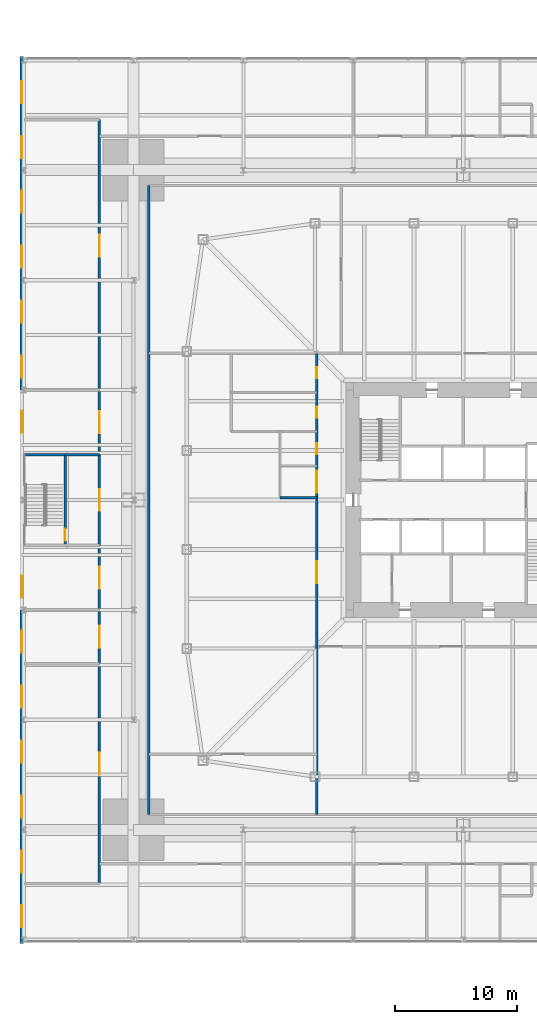
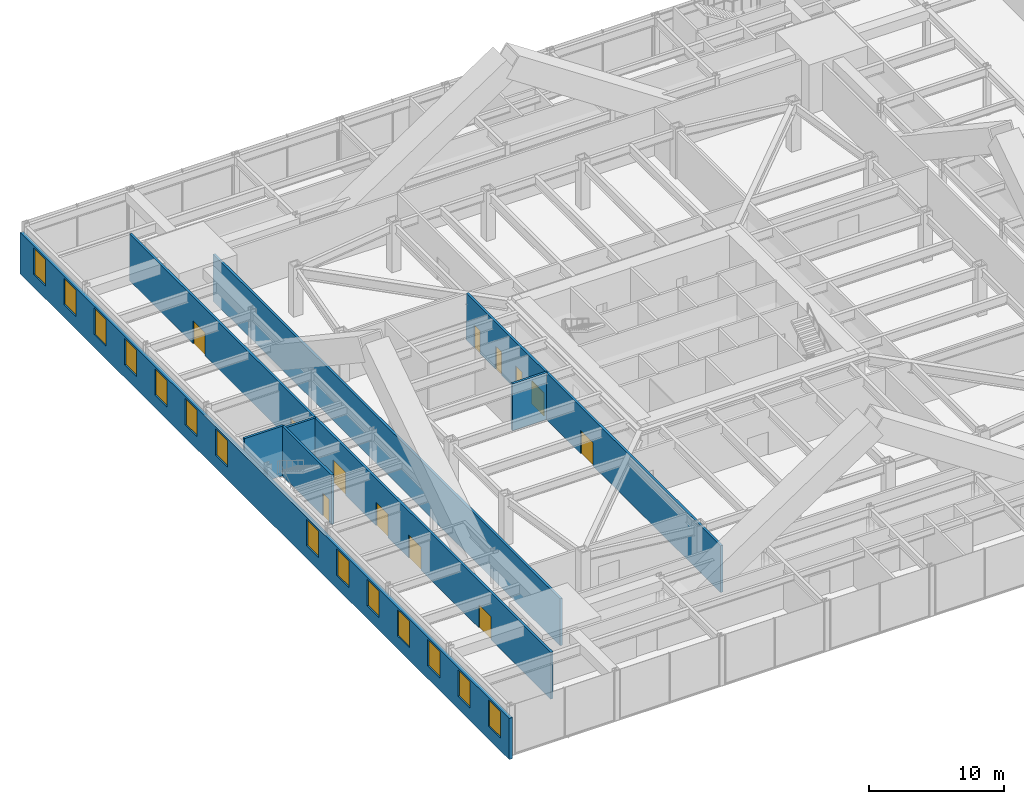
# One storey, part 21 of 32: 14 windows, 12 doors, 8 walls, 26 openings.
"""IFC4 building model written with IfcOpenShell, lengths in metres."""

from ifc_helpers import new_model, si_unit, direction, frame, frame_2d, origin, place, context, subcontext, project, spatial, rectangle, extrude, material, layer, layer_set, type_object, element, fill, save


model = new_model("IFC4")

# Units and contexts
model_context = context("Model", 3, precision=1e-05, world=origin(), true_north=direction((0.0, 1.0)))
body_context = subcontext(model_context, "Body", "Model", "MODEL_VIEW")
ifc_project = project(units=[si_unit("LENGTHUNIT", "METRE"), si_unit("AREAUNIT", "SQUARE_METRE"), si_unit("VOLUMEUNIT", "CUBIC_METRE"), si_unit("PLANEANGLEUNIT", "RADIAN"), si_unit("MASSUNIT", "GRAM", prefix="KILO")], contexts=[model_context])

# Site, building, storey
site_placement = place(None, origin())
site = spatial("IfcSite", under=ifc_project, at=site_placement, CompositionType="ELEMENT")
building_placement = place(site_placement, origin())
building = spatial("IfcBuilding", under=site, at=building_placement, Name="Iwan Alto Co-Living Towers", CompositionType="ELEMENT")
storey_placement = place(building_placement, frame((0.0, 0.0, 6.0)))
storey = spatial("IfcBuildingStorey", under=building, at=storey_placement, Name="L01", CompositionType="ELEMENT", Elevation=6.0)

# Wall, openings, windows
ifc_material_1 = material(Name="Fired clay brick facing", Category="masonry")
ifc_layer_1 = layer(ifc_material_1, 0.10009765625, Name="Brick facing", Category="Finish")
ifc_material_2 = material(Name="Concrete f'c 70 MPa", Category="concrete")
ifc_layer_2 = layer(ifc_material_2, 0.199951171875, Name="Reinforced concrete", Category="LoadBearing")
ifc_layer_set_1 = layer_set([ifc_layer_1, ifc_layer_2], Name="PODIUM BRICK WALL 300")
wall_type_1 = type_object("IfcWallType", Name="PODIUM BRICK WALL 300", PredefinedType="SOLIDWALL", material=ifc_layer_set_1)
wall_1_placement = place(storey_placement, frame((-36.14990234375, 36.300048828125, -0.25), z_axis=(0.0, 0.0, 1.0), x_axis=(0.0, -1.0, 0.0)))
wall_1 = element("IfcWall", 1, at=wall_1_placement, inside=storey, type_object=wall_type_1, Name="Podium wall W L01", PredefinedType="SOLIDWALL", context=body_context, shape_type="SweptSolid", body=[
    extrude(rectangle(XDim=72.60009765625, YDim=0.300048828125, at=frame_2d((36.300048828125, 0.0))), origin(), (0.0, 0.0, 1.0), 3.73046875),
])
opening_1_placement = place(wall_1_placement, frame((2.0, 0.0, 1.14990234375)))
opening_1 = element("IfcOpeningElement", 2, at=opening_1_placement, cuts=wall_1, Name="Opening WN1", PredefinedType="OPENING", context=body_context, shape_type="SweptSolid", body=[
    extrude(rectangle(XDim=1.800048828125, YDim=2.39990234375, at=frame_2d((0.89990234375, 1.199951171875))), frame((0.0, 0.159912109375, 0.0), z_axis=(0.0, -1.0, 0.0), x_axis=(1.0, 0.0, 0.0)), (0.0, 0.0, 1.0), 0.320068359375),
])
opening_2_placement = place(wall_1_placement, frame((6.5, 0.0, 1.14990234375)))
opening_2 = element("IfcOpeningElement", 3, at=opening_2_placement, cuts=wall_1, Name="Opening WN1", PredefinedType="OPENING", context=body_context, shape_type="SweptSolid", body=[
    extrude(rectangle(XDim=1.800048828125, YDim=2.39990234375, at=frame_2d((0.89990234375, 1.199951171875))), frame((0.0, 0.159912109375, 0.0), z_axis=(0.0, -1.0, 0.0), x_axis=(1.0, 0.0, 0.0)), (0.0, 0.0, 1.0), 0.320068359375),
])
opening_3_placement = place(wall_1_placement, frame((11.0, 0.0, 1.14990234375)))
opening_3 = element("IfcOpeningElement", 4, at=opening_3_placement, cuts=wall_1, Name="Opening WN1", PredefinedType="OPENING", context=body_context, shape_type="SweptSolid", body=[
    extrude(rectangle(XDim=1.800048828125, YDim=2.39990234375, at=frame_2d((0.89990234375, 1.199951171875))), frame((0.0, 0.159912109375, 0.0), z_axis=(0.0, -1.0, 0.0), x_axis=(1.0, 0.0, 0.0)), (0.0, 0.0, 1.0), 0.320068359375),
])
opening_4_placement = place(wall_1_placement, frame((15.5, 0.0, 1.14990234375)))
opening_4 = element("IfcOpeningElement", 5, at=opening_4_placement, cuts=wall_1, Name="Opening WN1", PredefinedType="OPENING", context=body_context, shape_type="SweptSolid", body=[
    extrude(rectangle(XDim=1.800048828125, YDim=2.39990234375, at=frame_2d((0.89990234375, 1.199951171875))), frame((0.0, 0.159912109375, 0.0), z_axis=(0.0, -1.0, 0.0), x_axis=(1.0, 0.0, 0.0)), (0.0, 0.0, 1.0), 0.320068359375),
])
opening_5_placement = place(wall_1_placement, frame((20.0, 0.0, 1.14990234375)))
opening_5 = element("IfcOpeningElement", 6, at=opening_5_placement, cuts=wall_1, Name="Opening WN1", PredefinedType="OPENING", context=body_context, shape_type="SweptSolid", body=[
    extrude(rectangle(XDim=1.800048828125, YDim=2.39990234375, at=frame_2d((0.89990234375, 1.199951171875))), frame((0.0, 0.159912109375, 0.0), z_axis=(0.0, -1.0, 0.0), x_axis=(1.0, 0.0, 0.0)), (0.0, 0.0, 1.0), 0.320068359375),
])
opening_6_placement = place(wall_1_placement, frame((24.5, 0.0, 1.14990234375)))
opening_6 = element("IfcOpeningElement", 7, at=opening_6_placement, cuts=wall_1, Name="Opening WN1", PredefinedType="OPENING", context=body_context, shape_type="SweptSolid", body=[
    extrude(rectangle(XDim=1.800048828125, YDim=2.39990234375, at=frame_2d((0.89990234375, 1.199951171875))), frame((0.0, 0.159912109375, 0.0), z_axis=(0.0, -1.0, 0.0), x_axis=(1.0, 0.0, 0.0)), (0.0, 0.0, 1.0), 0.320068359375),
])
opening_7_placement = place(wall_1_placement, frame((29.0, 0.0, 1.14990234375)))
opening_7 = element("IfcOpeningElement", 8, at=opening_7_placement, cuts=wall_1, Name="Opening WN1", PredefinedType="OPENING", context=body_context, shape_type="SweptSolid", body=[
    extrude(rectangle(XDim=1.800048828125, YDim=2.39990234375, at=frame_2d((0.89990234375, 1.199951171875))), frame((0.0, 0.159912109375, 0.0), z_axis=(0.0, -1.0, 0.0), x_axis=(1.0, 0.0, 0.0)), (0.0, 0.0, 1.0), 0.320068359375),
])
opening_8_placement = place(wall_1_placement, frame((42.5, 0.0, 1.14990234375)))
opening_8 = element("IfcOpeningElement", 9, at=opening_8_placement, cuts=wall_1, Name="Opening WN1", PredefinedType="OPENING", context=body_context, shape_type="SweptSolid", body=[
    extrude(rectangle(XDim=1.800048828125, YDim=2.39990234375, at=frame_2d((0.89990234375, 1.199951171875))), frame((0.0, 0.159912109375, 0.0), z_axis=(0.0, -1.0, 0.0), x_axis=(1.0, 0.0, 0.0)), (0.0, 0.0, 1.0), 0.320068359375),
])
opening_9_placement = place(wall_1_placement, frame((47.0, 0.0, 1.14990234375)))
opening_9 = element("IfcOpeningElement", 10, at=opening_9_placement, cuts=wall_1, Name="Opening WN1", PredefinedType="OPENING", context=body_context, shape_type="SweptSolid", body=[
    extrude(rectangle(XDim=1.800048828125, YDim=2.39990234375, at=frame_2d((0.89990234375, 1.199951171875))), frame((0.0, 0.159912109375, 0.0), z_axis=(0.0, -1.0, 0.0), x_axis=(1.0, 0.0, 0.0)), (0.0, 0.0, 1.0), 0.320068359375),
])
opening_10_placement = place(wall_1_placement, frame((51.5, 0.0, 1.14990234375)))
opening_10 = element("IfcOpeningElement", 11, at=opening_10_placement, cuts=wall_1, Name="Opening WN1", PredefinedType="OPENING", context=body_context, shape_type="SweptSolid", body=[
    extrude(rectangle(XDim=1.800048828125, YDim=2.39990234375, at=frame_2d((0.89990234375, 1.199951171875))), frame((0.0, 0.159912109375, 0.0), z_axis=(0.0, -1.0, 0.0), x_axis=(1.0, 0.0, 0.0)), (0.0, 0.0, 1.0), 0.320068359375),
])
opening_11_placement = place(wall_1_placement, frame((56.0, 0.0, 1.14990234375)))
opening_11 = element("IfcOpeningElement", 12, at=opening_11_placement, cuts=wall_1, Name="Opening WN1", PredefinedType="OPENING", context=body_context, shape_type="SweptSolid", body=[
    extrude(rectangle(XDim=1.800048828125, YDim=2.39990234375, at=frame_2d((0.89990234375, 1.199951171875))), frame((0.0, 0.159912109375, 0.0), z_axis=(0.0, -1.0, 0.0), x_axis=(1.0, 0.0, 0.0)), (0.0, 0.0, 1.0), 0.320068359375),
])
opening_12_placement = place(wall_1_placement, frame((60.5, 0.0, 1.14990234375)))
opening_12 = element("IfcOpeningElement", 13, at=opening_12_placement, cuts=wall_1, Name="Opening WN1", PredefinedType="OPENING", context=body_context, shape_type="SweptSolid", body=[
    extrude(rectangle(XDim=1.800048828125, YDim=2.39990234375, at=frame_2d((0.89990234375, 1.199951171875))), frame((0.0, 0.159912109375, 0.0), z_axis=(0.0, -1.0, 0.0), x_axis=(1.0, 0.0, 0.0)), (0.0, 0.0, 1.0), 0.320068359375),
])
opening_13_placement = place(wall_1_placement, frame((65.0, 0.0, 1.14990234375)))
opening_13 = element("IfcOpeningElement", 14, at=opening_13_placement, cuts=wall_1, Name="Opening WN1", PredefinedType="OPENING", context=body_context, shape_type="SweptSolid", body=[
    extrude(rectangle(XDim=1.800048828125, YDim=2.39990234375, at=frame_2d((0.89990234375, 1.199951171875))), frame((0.0, 0.159912109375, 0.0), z_axis=(0.0, -1.0, 0.0), x_axis=(1.0, 0.0, 0.0)), (0.0, 0.0, 1.0), 0.320068359375),
])
opening_14_placement = place(wall_1_placement, frame((69.5, 0.0, 1.14990234375)))
opening_14 = element("IfcOpeningElement", 15, at=opening_14_placement, cuts=wall_1, Name="Opening WN1", PredefinedType="OPENING", context=body_context, shape_type="SweptSolid", body=[
    extrude(rectangle(XDim=1.800048828125, YDim=2.39990234375, at=frame_2d((0.89990234375, 1.199951171875))), frame((0.0, 0.159912109375, 0.0), z_axis=(0.0, -1.0, 0.0), x_axis=(1.0, 0.0, 0.0)), (0.0, 0.0, 1.0), 0.320068359375),
])
ifc_material_3 = material(Name="Bronze aluminium window frame", Category="aluminium")
window_type = type_object("IfcWindowType", Name="WN1 PODIUM WINDOW 1800X2400", PartitioningType="SINGLE_PANEL", PredefinedType="WINDOW", material=ifc_material_3)
window_1_placement = place(opening_1_placement, origin())
window_1 = element("IfcWindow", 16, at=window_1_placement, inside=storey, type_object=window_type, Name="Podium window", OverallHeight=2.39990234375, OverallWidth=1.800048828125, PartitioningType="SINGLE_PANEL", PredefinedType="WINDOW", context=body_context, shape_type="SweptSolid", body=[
    extrude(rectangle(XDim=1.800048828125, YDim=2.39990234375, at=frame_2d((0.89990234375, 1.199951171875))), frame((0.0, 0.030029296875, 0.0), z_axis=(0.0, -1.0, 0.0), x_axis=(1.0, 0.0, 0.0)), (0.0, 0.0, 1.0), 0.06005859375),
])
fill(opening_1, window_1)
window_2_placement = place(opening_2_placement, origin())
window_2 = element("IfcWindow", 17, at=window_2_placement, inside=storey, type_object=window_type, Name="Podium window", OverallHeight=2.39990234375, OverallWidth=1.800048828125, PartitioningType="SINGLE_PANEL", PredefinedType="WINDOW", context=body_context, shape_type="SweptSolid", body=[
    extrude(rectangle(XDim=1.800048828125, YDim=2.39990234375, at=frame_2d((0.89990234375, 1.199951171875))), frame((0.0, 0.030029296875, 0.0), z_axis=(0.0, -1.0, 0.0), x_axis=(1.0, 0.0, 0.0)), (0.0, 0.0, 1.0), 0.06005859375),
])
fill(opening_2, window_2)
window_3_placement = place(opening_3_placement, origin())
window_3 = element("IfcWindow", 18, at=window_3_placement, inside=storey, type_object=window_type, Name="Podium window", OverallHeight=2.39990234375, OverallWidth=1.800048828125, PartitioningType="SINGLE_PANEL", PredefinedType="WINDOW", context=body_context, shape_type="SweptSolid", body=[
    extrude(rectangle(XDim=1.800048828125, YDim=2.39990234375, at=frame_2d((0.89990234375, 1.199951171875))), frame((0.0, 0.030029296875, 0.0), z_axis=(0.0, -1.0, 0.0), x_axis=(1.0, 0.0, 0.0)), (0.0, 0.0, 1.0), 0.06005859375),
])
fill(opening_3, window_3)
window_4_placement = place(opening_4_placement, origin())
window_4 = element("IfcWindow", 19, at=window_4_placement, inside=storey, type_object=window_type, Name="Podium window", OverallHeight=2.39990234375, OverallWidth=1.800048828125, PartitioningType="SINGLE_PANEL", PredefinedType="WINDOW", context=body_context, shape_type="SweptSolid", body=[
    extrude(rectangle(XDim=1.800048828125, YDim=2.39990234375, at=frame_2d((0.89990234375, 1.199951171875))), frame((0.0, 0.030029296875, 0.0), z_axis=(0.0, -1.0, 0.0), x_axis=(1.0, 0.0, 0.0)), (0.0, 0.0, 1.0), 0.06005859375),
])
fill(opening_4, window_4)
window_5_placement = place(opening_5_placement, origin())
window_5 = element("IfcWindow", 20, at=window_5_placement, inside=storey, type_object=window_type, Name="Podium window", OverallHeight=2.39990234375, OverallWidth=1.800048828125, PartitioningType="SINGLE_PANEL", PredefinedType="WINDOW", context=body_context, shape_type="SweptSolid", body=[
    extrude(rectangle(XDim=1.800048828125, YDim=2.39990234375, at=frame_2d((0.89990234375, 1.199951171875))), frame((0.0, 0.030029296875, 0.0), z_axis=(0.0, -1.0, 0.0), x_axis=(1.0, 0.0, 0.0)), (0.0, 0.0, 1.0), 0.06005859375),
])
fill(opening_5, window_5)
window_6_placement = place(opening_6_placement, origin())
window_6 = element("IfcWindow", 21, at=window_6_placement, inside=storey, type_object=window_type, Name="Podium window", OverallHeight=2.39990234375, OverallWidth=1.800048828125, PartitioningType="SINGLE_PANEL", PredefinedType="WINDOW", context=body_context, shape_type="SweptSolid", body=[
    extrude(rectangle(XDim=1.800048828125, YDim=2.39990234375, at=frame_2d((0.89990234375, 1.199951171875))), frame((0.0, 0.030029296875, 0.0), z_axis=(0.0, -1.0, 0.0), x_axis=(1.0, 0.0, 0.0)), (0.0, 0.0, 1.0), 0.06005859375),
])
fill(opening_6, window_6)
window_7_placement = place(opening_7_placement, origin())
window_7 = element("IfcWindow", 22, at=window_7_placement, inside=storey, type_object=window_type, Name="Podium window", OverallHeight=2.39990234375, OverallWidth=1.800048828125, PartitioningType="SINGLE_PANEL", PredefinedType="WINDOW", context=body_context, shape_type="SweptSolid", body=[
    extrude(rectangle(XDim=1.800048828125, YDim=2.39990234375, at=frame_2d((0.89990234375, 1.199951171875))), frame((0.0, 0.030029296875, 0.0), z_axis=(0.0, -1.0, 0.0), x_axis=(1.0, 0.0, 0.0)), (0.0, 0.0, 1.0), 0.06005859375),
])
fill(opening_7, window_7)
window_8_placement = place(opening_8_placement, origin())
window_8 = element("IfcWindow", 23, at=window_8_placement, inside=storey, type_object=window_type, Name="Podium window", OverallHeight=2.39990234375, OverallWidth=1.800048828125, PartitioningType="SINGLE_PANEL", PredefinedType="WINDOW", context=body_context, shape_type="SweptSolid", body=[
    extrude(rectangle(XDim=1.800048828125, YDim=2.39990234375, at=frame_2d((0.89990234375, 1.199951171875))), frame((0.0, 0.030029296875, 0.0), z_axis=(0.0, -1.0, 0.0), x_axis=(1.0, 0.0, 0.0)), (0.0, 0.0, 1.0), 0.06005859375),
])
fill(opening_8, window_8)
window_9_placement = place(opening_9_placement, origin())
window_9 = element("IfcWindow", 24, at=window_9_placement, inside=storey, type_object=window_type, Name="Podium window", OverallHeight=2.39990234375, OverallWidth=1.800048828125, PartitioningType="SINGLE_PANEL", PredefinedType="WINDOW", context=body_context, shape_type="SweptSolid", body=[
    extrude(rectangle(XDim=1.800048828125, YDim=2.39990234375, at=frame_2d((0.89990234375, 1.199951171875))), frame((0.0, 0.030029296875, 0.0), z_axis=(0.0, -1.0, 0.0), x_axis=(1.0, 0.0, 0.0)), (0.0, 0.0, 1.0), 0.06005859375),
])
fill(opening_9, window_9)
window_10_placement = place(opening_10_placement, origin())
window_10 = element("IfcWindow", 25, at=window_10_placement, inside=storey, type_object=window_type, Name="Podium window", OverallHeight=2.39990234375, OverallWidth=1.800048828125, PartitioningType="SINGLE_PANEL", PredefinedType="WINDOW", context=body_context, shape_type="SweptSolid", body=[
    extrude(rectangle(XDim=1.800048828125, YDim=2.39990234375, at=frame_2d((0.89990234375, 1.199951171875))), frame((0.0, 0.030029296875, 0.0), z_axis=(0.0, -1.0, 0.0), x_axis=(1.0, 0.0, 0.0)), (0.0, 0.0, 1.0), 0.06005859375),
])
fill(opening_10, window_10)
window_11_placement = place(opening_11_placement, origin())
window_11 = element("IfcWindow", 26, at=window_11_placement, inside=storey, type_object=window_type, Name="Podium window", OverallHeight=2.39990234375, OverallWidth=1.800048828125, PartitioningType="SINGLE_PANEL", PredefinedType="WINDOW", context=body_context, shape_type="SweptSolid", body=[
    extrude(rectangle(XDim=1.800048828125, YDim=2.39990234375, at=frame_2d((0.89990234375, 1.199951171875))), frame((0.0, 0.030029296875, 0.0), z_axis=(0.0, -1.0, 0.0), x_axis=(1.0, 0.0, 0.0)), (0.0, 0.0, 1.0), 0.06005859375),
])
fill(opening_11, window_11)
window_12_placement = place(opening_12_placement, origin())
window_12 = element("IfcWindow", 27, at=window_12_placement, inside=storey, type_object=window_type, Name="Podium window", OverallHeight=2.39990234375, OverallWidth=1.800048828125, PartitioningType="SINGLE_PANEL", PredefinedType="WINDOW", context=body_context, shape_type="SweptSolid", body=[
    extrude(rectangle(XDim=1.800048828125, YDim=2.39990234375, at=frame_2d((0.89990234375, 1.199951171875))), frame((0.0, 0.030029296875, 0.0), z_axis=(0.0, -1.0, 0.0), x_axis=(1.0, 0.0, 0.0)), (0.0, 0.0, 1.0), 0.06005859375),
])
fill(opening_12, window_12)
window_13_placement = place(opening_13_placement, origin())
window_13 = element("IfcWindow", 28, at=window_13_placement, inside=storey, type_object=window_type, Name="Podium window", OverallHeight=2.39990234375, OverallWidth=1.800048828125, PartitioningType="SINGLE_PANEL", PredefinedType="WINDOW", context=body_context, shape_type="SweptSolid", body=[
    extrude(rectangle(XDim=1.800048828125, YDim=2.39990234375, at=frame_2d((0.89990234375, 1.199951171875))), frame((0.0, 0.030029296875, 0.0), z_axis=(0.0, -1.0, 0.0), x_axis=(1.0, 0.0, 0.0)), (0.0, 0.0, 1.0), 0.06005859375),
])
fill(opening_13, window_13)
window_14_placement = place(opening_14_placement, origin())
window_14 = element("IfcWindow", 29, at=window_14_placement, inside=storey, type_object=window_type, Name="Podium window", OverallHeight=2.39990234375, OverallWidth=1.800048828125, PartitioningType="SINGLE_PANEL", PredefinedType="WINDOW", context=body_context, shape_type="SweptSolid", body=[
    extrude(rectangle(XDim=1.800048828125, YDim=2.39990234375, at=frame_2d((0.89990234375, 1.199951171875))), frame((0.0, 0.030029296875, 0.0), z_axis=(0.0, -1.0, 0.0), x_axis=(1.0, 0.0, 0.0)), (0.0, 0.0, 1.0), 0.06005859375),
])
fill(opening_14, window_14)

# Walls
ifc_material_4 = material(Name="Concrete block masonry f*p 10 MPa", Category="masonry")
ifc_layer_3 = layer(ifc_material_4, 0.199951171875)
ifc_layer_set_2 = layer_set([ifc_layer_3], Name="PODIUM INTERNAL WALL 200")
wall_type_2 = type_object("IfcWallType", Name="PODIUM INTERNAL WALL 200", PredefinedType="SOLIDWALL", material=ifc_layer_set_2)
wall_2_placement = place(storey_placement, frame((-15.0, 0.199951171875, 0.0), z_axis=(0.0, 0.0, 1.0), x_axis=(1.0, 0.0, 0.0)))
element("IfcWall", 30, at=wall_2_placement, inside=storey, type_object=wall_type_2, Name="Partition L01", PredefinedType="SOLIDWALL", context=body_context, shape_type="SweptSolid", body=[
    extrude(rectangle(XDim=3.0, YDim=0.199951171875, at=frame_2d((1.5, 0.0))), origin(), (0.0, 0.0, 1.0), 4.25),
])
wall_3_placement = place(storey_placement, frame((-32.60009765625, 3.699951171875, 0.0), z_axis=(0.0, 0.0, 1.0), x_axis=(1.0, 0.0, 0.0)))
element("IfcWall", 31, at=wall_3_placement, inside=storey, type_object=wall_type_2, Name="Partition L01", PredefinedType="SOLIDWALL", context=body_context, shape_type="SweptSolid", body=[
    extrude(rectangle(XDim=2.800048828125, YDim=0.199951171875, at=frame_2d((1.39990234375, 0.0))), origin(), (0.0, 0.0, 1.0), 4.25),
])

# Wall, openings, doors
wall_4_placement = place(storey_placement, frame((-12.0, -25.75, 0.0), z_axis=(0.0, 0.0, 1.0), x_axis=(0.0, 1.0, 0.0)))
wall_4 = element("IfcWall", 32, at=wall_4_placement, inside=storey, type_object=wall_type_2, Name="Partition L01", PredefinedType="SOLIDWALL", context=body_context, shape_type="SweptSolid", body=[
    extrude(rectangle(XDim=37.75, YDim=0.199951171875, at=frame_2d((18.875, 0.0))), origin(), (0.0, 0.0, 1.0), 4.25),
])
opening_15_placement = place(wall_4_placement, frame((35.699951171875, 0.0, 0.0)))
opening_15 = element("IfcOpeningElement", 33, at=opening_15_placement, cuts=wall_4, Name="Opening D4", PredefinedType="OPENING", context=body_context, shape_type="SweptSolid", body=[
    extrude(rectangle(XDim=0.89990234375, YDim=2.10009765625, at=frame_2d((0.449951171875, 1.050048828125))), frame((0.0, 0.10986328125, 0.0), z_axis=(0.0, -1.0, 0.0), x_axis=(1.0, 0.0, 0.0)), (0.0, 0.0, 1.0), 0.219970703125),
])
opening_16_placement = place(wall_4_placement, frame((32.5, 0.0, 0.0)))
opening_16 = element("IfcOpeningElement", 34, at=opening_16_placement, cuts=wall_4, Name="Opening D4", PredefinedType="OPENING", context=body_context, shape_type="SweptSolid", body=[
    extrude(rectangle(XDim=0.89990234375, YDim=2.10009765625, at=frame_2d((0.449951171875, 1.050048828125))), frame((0.0, 0.10986328125, 0.0), z_axis=(0.0, -1.0, 0.0), x_axis=(1.0, 0.0, 0.0)), (0.0, 0.0, 1.0), 0.219970703125),
])
opening_17_placement = place(wall_4_placement, frame((29.5, 0.0, 0.0)))
opening_17 = element("IfcOpeningElement", 35, at=opening_17_placement, cuts=wall_4, Name="Opening D4", PredefinedType="OPENING", context=body_context, shape_type="SweptSolid", body=[
    extrude(rectangle(XDim=0.89990234375, YDim=2.10009765625, at=frame_2d((0.449951171875, 1.050048828125))), frame((0.0, 0.10986328125, 0.0), z_axis=(0.0, -1.0, 0.0), x_axis=(1.0, 0.0, 0.0)), (0.0, 0.0, 1.0), 0.219970703125),
])
opening_18_placement = place(wall_4_placement, frame((26.35009765625, 0.0, 0.0)))
opening_18 = element("IfcOpeningElement", 36, at=opening_18_placement, cuts=wall_4, Name="Opening D9", PredefinedType="OPENING", context=body_context, shape_type="SweptSolid", body=[
    extrude(rectangle(XDim=1.800048828125, YDim=2.10009765625, at=frame_2d((0.89990234375, 1.050048828125))), frame((0.0, 0.10986328125, 0.0), z_axis=(0.0, -1.0, 0.0), x_axis=(1.0, 0.0, 0.0)), (0.0, 0.0, 1.0), 0.219970703125),
])
opening_19_placement = place(wall_4_placement, frame((18.949951171875, 0.0, 0.0)))
opening_19 = element("IfcOpeningElement", 37, at=opening_19_placement, cuts=wall_4, Name="Opening D9", PredefinedType="OPENING", context=body_context, shape_type="SweptSolid", body=[
    extrude(rectangle(XDim=1.800048828125, YDim=2.10009765625, at=frame_2d((0.89990234375, 1.050048828125))), frame((0.0, 0.10986328125, 0.0), z_axis=(0.0, -1.0, 0.0), x_axis=(1.0, 0.0, 0.0)), (0.0, 0.0, 1.0), 0.219970703125),
])
ifc_material_5 = material(Name="Steel frame with timber leaf", Category="steel")
door_type_1 = type_object("IfcDoorType", Name="LOUNGE DOOR FD30S 1800X2100", OperationType="DOUBLE_DOOR_SINGLE_SWING", PredefinedType="DOOR", material=ifc_material_5)
door_1_placement = place(opening_18_placement, origin())
door_1 = element("IfcDoor", 38, at=door_1_placement, inside=storey, type_object=door_type_1, Name="Gym store door L01", OperationType="DOUBLE_DOOR_SINGLE_SWING", OverallHeight=2.10009765625, OverallWidth=1.800048828125, PredefinedType="DOOR", context=body_context, shape_type="SweptSolid", body=[
    extrude(rectangle(XDim=1.800048828125, YDim=2.10009765625, at=frame_2d((0.89990234375, 1.050048828125))), frame((0.0, 0.02490234375, 0.0), z_axis=(0.0, -1.0, 0.0), x_axis=(1.0, 0.0, 0.0)), (0.0, 0.0, 1.0), 0.050048828125),
])
fill(opening_18, door_1)
door_2_placement = place(opening_19_placement, origin())
door_2 = element("IfcDoor", 39, at=door_2_placement, inside=storey, type_object=door_type_1, Name="Gym door L01", OperationType="DOUBLE_DOOR_SINGLE_SWING", OverallHeight=2.10009765625, OverallWidth=1.800048828125, PredefinedType="DOOR", context=body_context, shape_type="SweptSolid", body=[
    extrude(rectangle(XDim=1.800048828125, YDim=2.10009765625, at=frame_2d((0.89990234375, 1.050048828125))), frame((0.0, 0.02490234375, 0.0), z_axis=(0.0, -1.0, 0.0), x_axis=(1.0, 0.0, 0.0)), (0.0, 0.0, 1.0), 0.050048828125),
])
fill(opening_19, door_2)
ifc_material_6 = material(Name="Timber leaf in steel frame", Category="steel")
door_type_2 = type_object("IfcDoorType", Name="WC DOOR 900X2100", OperationType="SINGLE_SWING_LEFT", PredefinedType="DOOR", material=ifc_material_6)
door_3_placement = place(opening_15_placement, origin())
door_3 = element("IfcDoor", 40, at=door_3_placement, inside=storey, type_object=door_type_2, Name="Women's changing room door L01", OperationType="SINGLE_SWING_LEFT", OverallHeight=2.10009765625, OverallWidth=0.89990234375, PredefinedType="DOOR", context=body_context, shape_type="SweptSolid", body=[
    extrude(rectangle(XDim=0.89990234375, YDim=2.10009765625, at=frame_2d((0.449951171875, 1.050048828125))), frame((0.0, 0.02490234375, 0.0), z_axis=(0.0, -1.0, 0.0), x_axis=(1.0, 0.0, 0.0)), (0.0, 0.0, 1.0), 0.050048828125),
])
fill(opening_15, door_3)
door_4_placement = place(opening_16_placement, origin())
door_4 = element("IfcDoor", 41, at=door_4_placement, inside=storey, type_object=door_type_2, Name="Men's changing room door L01", OperationType="SINGLE_SWING_LEFT", OverallHeight=2.10009765625, OverallWidth=0.89990234375, PredefinedType="DOOR", context=body_context, shape_type="SweptSolid", body=[
    extrude(rectangle(XDim=0.89990234375, YDim=2.10009765625, at=frame_2d((0.449951171875, 1.050048828125))), frame((0.0, 0.02490234375, 0.0), z_axis=(0.0, -1.0, 0.0), x_axis=(1.0, 0.0, 0.0)), (0.0, 0.0, 1.0), 0.050048828125),
])
fill(opening_16, door_4)
door_5_placement = place(opening_17_placement, origin())
door_5 = element("IfcDoor", 42, at=door_5_placement, inside=storey, type_object=door_type_2, Name="Accessible changing room door L01", OperationType="SINGLE_SWING_LEFT", OverallHeight=2.10009765625, OverallWidth=0.89990234375, PredefinedType="DOOR", context=body_context, shape_type="SweptSolid", body=[
    extrude(rectangle(XDim=0.89990234375, YDim=2.10009765625, at=frame_2d((0.449951171875, 1.050048828125))), frame((0.0, 0.02490234375, 0.0), z_axis=(0.0, -1.0, 0.0), x_axis=(1.0, 0.0, 0.0)), (0.0, 0.0, 1.0), 0.050048828125),
])
fill(opening_17, door_5)

# Wall
wall_5_placement = place(storey_placement, frame((-25.75, -25.75, 0.0), z_axis=(0.0, 0.0, 1.0), x_axis=(0.0, 1.0, 0.0)))
element("IfcWall", 43, at=wall_5_placement, inside=storey, type_object=wall_type_2, Name="Partition L01", PredefinedType="SOLIDWALL", context=body_context, shape_type="SweptSolid", body=[
    extrude(rectangle(XDim=51.5, YDim=0.199951171875, at=frame_2d((25.75, 0.0))), origin(), (0.0, 0.0, 1.0), 4.25),
])

# Wall, openings, doors
wall_6_placement = place(storey_placement, frame((-29.800048828125, -31.39990234375, 0.0), z_axis=(0.0, 0.0, 1.0), x_axis=(0.0, 1.0, 0.0)))
wall_6 = element("IfcWall", 44, at=wall_6_placement, inside=storey, type_object=wall_type_2, Name="Partition L01", PredefinedType="SOLIDWALL", context=body_context, shape_type="SweptSolid", body=[
    extrude(rectangle(XDim=62.5498046875, YDim=0.199951171875, at=frame_2d((31.27490234375, 0.0))), origin(), (0.0, 0.0, 1.0), 4.25),
])
opening_20_placement = place(wall_6_placement, frame((8.89990234375, 0.0, 0.0)))
opening_20 = element("IfcOpeningElement", 45, at=opening_20_placement, cuts=wall_6, Name="Opening D9", PredefinedType="OPENING", context=body_context, shape_type="SweptSolid", body=[
    extrude(rectangle(XDim=1.800048828125, YDim=2.10009765625, at=frame_2d((0.89990234375, 1.050048828125))), frame((0.0, 0.10986328125, 0.0), z_axis=(0.0, -1.0, 0.0), x_axis=(1.0, 0.0, 0.0)), (0.0, 0.0, 1.0), 0.219970703125),
])
opening_21_placement = place(wall_6_placement, frame((19.300048828125, 0.0, 0.0)))
opening_21 = element("IfcOpeningElement", 46, at=opening_21_placement, cuts=wall_6, Name="Opening D9", PredefinedType="OPENING", context=body_context, shape_type="SweptSolid", body=[
    extrude(rectangle(XDim=1.800048828125, YDim=2.10009765625, at=frame_2d((0.89990234375, 1.050048828125))), frame((0.0, 0.10986328125, 0.0), z_axis=(0.0, -1.0, 0.0), x_axis=(1.0, 0.0, 0.0)), (0.0, 0.0, 1.0), 0.219970703125),
])
opening_22_placement = place(wall_6_placement, frame((24.14990234375, 0.0, 0.0)))
opening_22 = element("IfcOpeningElement", 47, at=opening_22_placement, cuts=wall_6, Name="Opening D9", PredefinedType="OPENING", context=body_context, shape_type="SweptSolid", body=[
    extrude(rectangle(XDim=1.800048828125, YDim=2.10009765625, at=frame_2d((0.89990234375, 1.050048828125))), frame((0.0, 0.10986328125, 0.0), z_axis=(0.0, -1.0, 0.0), x_axis=(1.0, 0.0, 0.0)), (0.0, 0.0, 1.0), 0.219970703125),
])
opening_23_placement = place(wall_6_placement, frame((30.5, 0.0, 0.0)))
opening_23 = element("IfcOpeningElement", 48, at=opening_23_placement, cuts=wall_6, Name="Opening D9", PredefinedType="OPENING", context=body_context, shape_type="SweptSolid", body=[
    extrude(rectangle(XDim=1.800048828125, YDim=2.10009765625, at=frame_2d((0.89990234375, 1.050048828125))), frame((0.0, 0.10986328125, 0.0), z_axis=(0.0, -1.0, 0.0), x_axis=(1.0, 0.0, 0.0)), (0.0, 0.0, 1.0), 0.219970703125),
])
opening_24_placement = place(wall_6_placement, frame((36.85009765625, 0.0, 0.0)))
opening_24 = element("IfcOpeningElement", 49, at=opening_24_placement, cuts=wall_6, Name="Opening D9", PredefinedType="OPENING", context=body_context, shape_type="SweptSolid", body=[
    extrude(rectangle(XDim=1.800048828125, YDim=2.10009765625, at=frame_2d((0.89990234375, 1.050048828125))), frame((0.0, 0.10986328125, 0.0), z_axis=(0.0, -1.0, 0.0), x_axis=(1.0, 0.0, 0.0)), (0.0, 0.0, 1.0), 0.219970703125),
])
opening_25_placement = place(wall_6_placement, frame((51.300048828125, 0.0, 0.0)))
opening_25 = element("IfcOpeningElement", 50, at=opening_25_placement, cuts=wall_6, Name="Opening D9", PredefinedType="OPENING", context=body_context, shape_type="SweptSolid", body=[
    extrude(rectangle(XDim=1.800048828125, YDim=2.10009765625, at=frame_2d((0.89990234375, 1.050048828125))), frame((0.0, 0.10986328125, 0.0), z_axis=(0.0, -1.0, 0.0), x_axis=(1.0, 0.0, 0.0)), (0.0, 0.0, 1.0), 0.219970703125),
])
door_6_placement = place(opening_20_placement, origin())
door_6 = element("IfcDoor", 51, at=door_6_placement, inside=storey, type_object=door_type_1, Name="Residents' storage lockers door L01", OperationType="DOUBLE_DOOR_SINGLE_SWING", OverallHeight=2.10009765625, OverallWidth=1.800048828125, PredefinedType="DOOR", context=body_context, shape_type="SweptSolid", body=[
    extrude(rectangle(XDim=1.800048828125, YDim=2.10009765625, at=frame_2d((0.89990234375, 1.050048828125))), frame((0.0, 0.02490234375, 0.0), z_axis=(0.0, -1.0, 0.0), x_axis=(1.0, 0.0, 0.0)), (0.0, 0.0, 1.0), 0.050048828125),
])
fill(opening_20, door_6)
door_7_placement = place(opening_21_placement, origin())
door_7 = element("IfcDoor", 52, at=door_7_placement, inside=storey, type_object=door_type_1, Name="Laundry door L01", OperationType="DOUBLE_DOOR_SINGLE_SWING", OverallHeight=2.10009765625, OverallWidth=1.800048828125, PredefinedType="DOOR", context=body_context, shape_type="SweptSolid", body=[
    extrude(rectangle(XDim=1.800048828125, YDim=2.10009765625, at=frame_2d((0.89990234375, 1.050048828125))), frame((0.0, 0.02490234375, 0.0), z_axis=(0.0, -1.0, 0.0), x_axis=(1.0, 0.0, 0.0)), (0.0, 0.0, 1.0), 0.050048828125),
])
fill(opening_21, door_7)
door_8_placement = place(opening_22_placement, origin())
door_8 = element("IfcDoor", 53, at=door_8_placement, inside=storey, type_object=door_type_1, Name="Meeting room door L01", OperationType="DOUBLE_DOOR_SINGLE_SWING", OverallHeight=2.10009765625, OverallWidth=1.800048828125, PredefinedType="DOOR", context=body_context, shape_type="SweptSolid", body=[
    extrude(rectangle(XDim=1.800048828125, YDim=2.10009765625, at=frame_2d((0.89990234375, 1.050048828125))), frame((0.0, 0.02490234375, 0.0), z_axis=(0.0, -1.0, 0.0), x_axis=(1.0, 0.0, 0.0)), (0.0, 0.0, 1.0), 0.050048828125),
])
fill(opening_22, door_8)
door_9_placement = place(opening_23_placement, origin())
door_9 = element("IfcDoor", 54, at=door_9_placement, inside=storey, type_object=door_type_1, Name="Stair lobby door L01", OperationType="DOUBLE_DOOR_SINGLE_SWING", OverallHeight=2.10009765625, OverallWidth=1.800048828125, PredefinedType="DOOR", context=body_context, shape_type="SweptSolid", body=[
    extrude(rectangle(XDim=1.800048828125, YDim=2.10009765625, at=frame_2d((0.89990234375, 1.050048828125))), frame((0.0, 0.02490234375, 0.0), z_axis=(0.0, -1.0, 0.0), x_axis=(1.0, 0.0, 0.0)), (0.0, 0.0, 1.0), 0.050048828125),
])
fill(opening_23, door_9)
door_10_placement = place(opening_24_placement, origin())
door_10 = element("IfcDoor", 55, at=door_10_placement, inside=storey, type_object=door_type_1, Name="Meeting room door L01", OperationType="DOUBLE_DOOR_SINGLE_SWING", OverallHeight=2.10009765625, OverallWidth=1.800048828125, PredefinedType="DOOR", context=body_context, shape_type="SweptSolid", body=[
    extrude(rectangle(XDim=1.800048828125, YDim=2.10009765625, at=frame_2d((0.89990234375, 1.050048828125))), frame((0.0, 0.02490234375, 0.0), z_axis=(0.0, -1.0, 0.0), x_axis=(1.0, 0.0, 0.0)), (0.0, 0.0, 1.0), 0.050048828125),
])
fill(opening_24, door_10)
door_11_placement = place(opening_25_placement, origin())
door_11 = element("IfcDoor", 56, at=door_11_placement, inside=storey, type_object=door_type_1, Name="Music room door L01", OperationType="DOUBLE_DOOR_SINGLE_SWING", OverallHeight=2.10009765625, OverallWidth=1.800048828125, PredefinedType="DOOR", context=body_context, shape_type="SweptSolid", body=[
    extrude(rectangle(XDim=1.800048828125, YDim=2.10009765625, at=frame_2d((0.89990234375, 1.050048828125))), frame((0.0, 0.02490234375, 0.0), z_axis=(0.0, -1.0, 0.0), x_axis=(1.0, 0.0, 0.0)), (0.0, 0.0, 1.0), 0.050048828125),
])
fill(opening_25, door_11)

# Wall
ifc_material_7 = material(Name="Concrete f'c 70 MPa", Category="concrete")
ifc_layer_4 = layer(ifc_material_7, 0.199951171875)
ifc_layer_set_3 = layer_set([ifc_layer_4], Name="SHAFT WALL 200")
wall_type_3 = type_object("IfcWallType", Name="SHAFT WALL 200", PredefinedType="SOLIDWALL", material=ifc_layer_set_3)
wall_7_placement = place(storey_placement, frame((-35.93994140625, 3.699951171875, 0.0), z_axis=(0.0, 0.0, 1.0), x_axis=(1.0, 0.0, 0.0)))
element("IfcWall", 57, at=wall_7_placement, inside=storey, type_object=wall_type_3, Name="Shaft wall L01", PredefinedType="SOLIDWALL", context=body_context, shape_type="SweptSolid", body=[
    extrude(rectangle(XDim=3.33984375, YDim=0.199951171875, at=frame_2d((1.669921875, 0.0))), origin(), (0.0, 0.0, 1.0), 4.5),
])

# Wall, opening, door
wall_8_placement = place(storey_placement, frame((-32.60009765625, -3.699951171875, 0.0), z_axis=(0.0, 0.0, 1.0), x_axis=(0.0, 1.0, 0.0)))
wall_8 = element("IfcWall", 58, at=wall_8_placement, inside=storey, type_object=wall_type_3, Name="Shaft wall L01", PredefinedType="SOLIDWALL", context=body_context, shape_type="SweptSolid", body=[
    extrude(rectangle(XDim=7.39990234375, YDim=0.199951171875, at=frame_2d((3.699951171875, 0.0))), origin(), (0.0, 0.0, 1.0), 4.5),
])
opening_26_placement = place(wall_8_placement, frame((0.35009765625, 0.0, 0.0)))
opening_26 = element("IfcOpeningElement", 59, at=opening_26_placement, cuts=wall_8, Name="Opening D5", PredefinedType="OPENING", context=body_context, shape_type="SweptSolid", body=[
    extrude(rectangle(XDim=1.0, YDim=2.10009765625, at=frame_2d((0.5, 1.050048828125))), frame((0.0, 0.10986328125, 0.0), z_axis=(0.0, -1.0, 0.0), x_axis=(1.0, 0.0, 0.0)), (0.0, 0.0, 1.0), 0.219970703125),
])
ifc_material_8 = material(Name="Steel frame with timber leaf", Category="steel")
door_type_3 = type_object("IfcDoorType", Name="STAIR DOOR FD120S 1000X2100", OperationType="SINGLE_SWING_LEFT", PredefinedType="DOOR", material=ifc_material_8)
door_12_placement = place(opening_26_placement, origin())
door_12 = element("IfcDoor", 60, at=door_12_placement, inside=storey, type_object=door_type_3, Name="Stair PS1 door L01", OperationType="SINGLE_SWING_LEFT", OverallHeight=2.10009765625, OverallWidth=1.0, PredefinedType="DOOR", context=body_context, shape_type="SweptSolid", body=[
    extrude(rectangle(XDim=1.0, YDim=2.10009765625, at=frame_2d((0.5, 1.050048828125))), frame((0.0, 0.02490234375, 0.0), z_axis=(0.0, -1.0, 0.0), x_axis=(1.0, 0.0, 0.0)), (0.0, 0.0, 1.0), 0.050048828125),
])
fill(opening_26, door_12)

save(model, "model.ifc")
